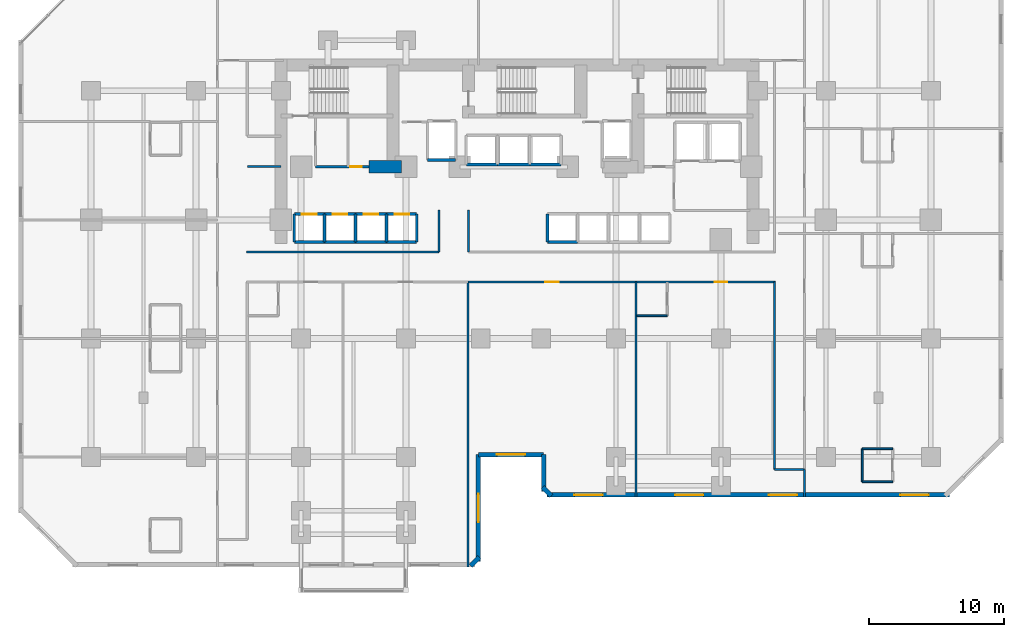
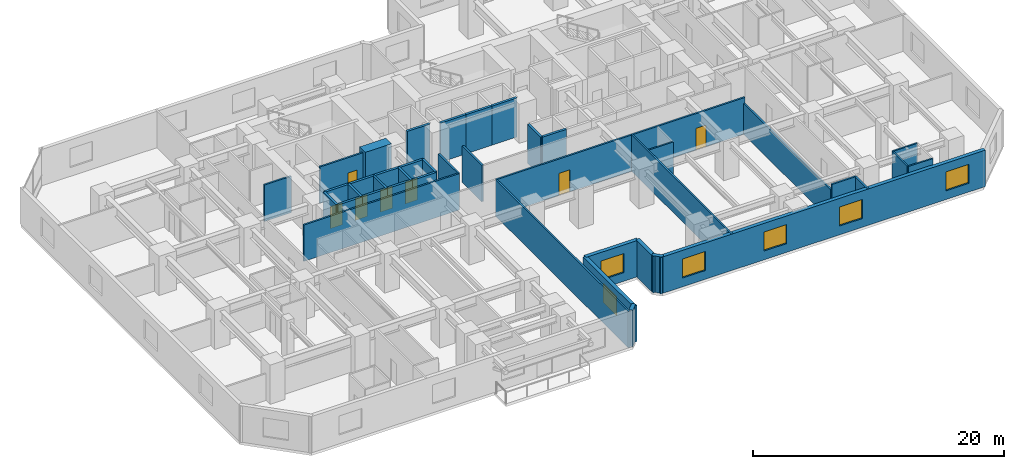
# One storey, part 6 of 11: 41 walls, 7 doors, 6 windows, 13 openings.
"""IFC4 building model written with IfcOpenShell, lengths in metres."""

from ifc_helpers import new_model, si_unit, direction, frame, frame_2d, origin, place, context, subcontext, project, spatial, rectangle, extrude, material, layer, layer_set, type_object, element, fill, save


model = new_model("IFC4")

# Units and contexts
model_context = context("Model", 3, precision=1e-05, world=origin(), true_north=direction((0.0, 1.0)))
body_context = subcontext(model_context, "Body", "Model", "MODEL_VIEW")
ifc_project = project(units=[si_unit("LENGTHUNIT", "METRE"), si_unit("AREAUNIT", "SQUARE_METRE"), si_unit("VOLUMEUNIT", "CUBIC_METRE"), si_unit("PLANEANGLEUNIT", "RADIAN"), si_unit("MASSUNIT", "GRAM", prefix="KILO")], contexts=[model_context])

# Site, building, storey
site_placement = place(None, origin())
site = spatial("IfcSite", under=ifc_project, at=site_placement, CompositionType="ELEMENT")
building_placement = place(site_placement, origin())
building = spatial("IfcBuilding", under=site, at=building_placement, Name="Kestravale Grand Hotel", CompositionType="ELEMENT")
storey_placement = place(building_placement, frame((0.0, 0.0, 37.39990234375)))
storey = spatial("IfcBuildingStorey", under=building, at=storey_placement, Name="L08", CompositionType="ELEMENT", Elevation=37.39990234375)

# Walls
ifc_material_1 = material(Name="Concrete f'c 70 MPa", Category="concrete")
ifc_layer_1 = layer(ifc_material_1, 0.89990234375)
ifc_layer_set_1 = layer_set([ifc_layer_1], Name="EW-CORE-900")
wall_type_1 = type_object("IfcWallType", Name="EW-CORE-900", PredefinedType="SHEAR", material=ifc_layer_set_1)
wall_1_placement = place(storey_placement, frame((28.449951171875, 32.75, 0.0), z_axis=(0.0, 0.0, 1.0), x_axis=(1.0, 0.0, 0.0)))
element("IfcWall", 1, at=wall_1_placement, inside=storey, type_object=wall_type_1, Name="L08 core shear wall S1", PredefinedType="SHEAR", context=body_context, shape_type="SweptSolid", body=[
    extrude(rectangle(XDim=2.400146484375, YDim=0.89990234375, at=frame_2d((1.2001953125, 0.0))), origin(), (0.0, 0.0, 1.0), 3.800048828125),
])
ifc_material_2 = material(Name="Precast concrete f'c 45 MPa", Category="concrete")
ifc_layer_2 = layer(ifc_material_2, 0.340087890625)
ifc_layer_set_2 = layer_set([ifc_layer_2], Name="EW-PREC-340")
wall_type_2 = type_object("IfcWallType", Name="EW-PREC-340", PredefinedType="SOLIDWALL", material=ifc_layer_set_2)
wall_2_placement = place(storey_placement, frame((36.00146484375, 3.091796875, 0.0), z_axis=(0.0, 0.0, 1.0), x_axis=(0.707106781187, 0.707106781187, 0.0)))
element("IfcWall", 2, at=wall_2_placement, inside=storey, type_object=wall_type_2, Name="L08 fluted precast facade wall 2", PredefinedType="SOLIDWALL", context=body_context, shape_type="SweptSolid", body=[
    extrude(rectangle(XDim=0.9287109375, YDim=0.340087890625, at=frame_2d((0.46435546875, 0.0))), origin(), (0.0, 0.0, 1.0), 3.5400390625),
])

# Wall, opening, window
wall_3_placement = place(storey_placement, frame((36.580078125, 3.429931640625, 0.0), z_axis=(0.0, 0.0, 1.0), x_axis=(0.0, 1.0, 0.0)))
wall_3 = element("IfcWall", 3, at=wall_3_placement, inside=storey, type_object=wall_type_2, Name="L08 fluted precast facade wall 3", PredefinedType="SOLIDWALL", context=body_context, shape_type="SweptSolid", body=[
    extrude(rectangle(XDim=7.940185546875, YDim=0.340087890625, at=frame_2d((3.97021484375, 0.0))), origin(), (0.0, 0.0, 1.0), 3.5400390625),
])
opening_1_placement = place(wall_3_placement, frame((2.919921875, 0.0, 0.85009765625)))
opening_1 = element("IfcOpeningElement", 4, at=opening_1_placement, cuts=wall_3, Name="Opening W-GUEST-2100", PredefinedType="OPENING", context=body_context, shape_type="SweptSolid", body=[
    extrude(rectangle(XDim=2.10009765625, YDim=1.85009765625, at=frame_2d((1.050048828125, 0.925048828125))), frame((0.0, 0.179931640625, 0.0), z_axis=(0.0, -1.0, 0.0), x_axis=(1.0, 0.0, 0.0)), (0.0, 0.0, 1.0), 0.360107421875),
])
ifc_material_3 = material(Name="Insulated low-E double glazing in aluminium frame", Category="aluminium")
window_type = type_object("IfcWindowType", Name="W-GUEST-2100", PartitioningType="DOUBLE_PANEL_VERTICAL", PredefinedType="WINDOW", material=ifc_material_3)
window_1_placement = place(opening_1_placement, origin())
window_1 = element("IfcWindow", 5, at=window_1_placement, inside=storey, type_object=window_type, Name="L08 exterior window 3.1", OverallHeight=1.85009765625, OverallWidth=2.10009765625, PartitioningType="SINGLE_PANEL", PredefinedType="WINDOW", context=body_context, shape_type="SweptSolid", body=[
    extrude(rectangle(XDim=2.10009765625, YDim=1.85009765625, at=frame_2d((1.050048828125, 0.925048828125))), frame((0.0, 0.030029296875, 0.0), z_axis=(0.0, -1.0, 0.0), x_axis=(1.0, 0.0, 0.0)), (0.0, 0.0, 1.0), 0.06005859375),
])
fill(opening_1, window_1)

wall_4_placement = place(storey_placement, frame((36.580078125, 11.3701171875, 0.0), z_axis=(0.0, 0.0, 1.0), x_axis=(1.0, 0.0, 0.0)))
wall_4 = element("IfcWall", 6, at=wall_4_placement, inside=storey, type_object=wall_type_2, Name="L08 fluted precast facade wall 4", PredefinedType="SOLIDWALL", context=body_context, shape_type="SweptSolid", body=[
    extrude(rectangle(XDim=4.83984375, YDim=0.340087890625, at=frame_2d((2.419921875, 0.0))), origin(), (0.0, 0.0, 1.0), 3.5400390625),
])
opening_2_placement = place(wall_4_placement, frame((1.3701171875, 0.0, 0.85009765625)))
opening_2 = element("IfcOpeningElement", 7, at=opening_2_placement, cuts=wall_4, Name="Opening W-GUEST-2100", PredefinedType="OPENING", context=body_context, shape_type="SweptSolid", body=[
    extrude(rectangle(XDim=2.10009765625, YDim=1.85009765625, at=frame_2d((1.050048828125, 0.925048828125))), frame((0.0, 0.179931640625, 0.0), z_axis=(0.0, -1.0, 0.0), x_axis=(1.0, 0.0, 0.0)), (0.0, 0.0, 1.0), 0.360107421875),
])
window_2_placement = place(opening_2_placement, origin())
window_2 = element("IfcWindow", 8, at=window_2_placement, inside=storey, type_object=window_type, Name="L08 exterior window 4.1", OverallHeight=1.85009765625, OverallWidth=2.10009765625, PartitioningType="SINGLE_PANEL", PredefinedType="WINDOW", context=body_context, shape_type="SweptSolid", body=[
    extrude(rectangle(XDim=2.10009765625, YDim=1.85009765625, at=frame_2d((1.050048828125, 0.925048828125))), frame((0.0, 0.030029296875, 0.0), z_axis=(0.0, -1.0, 0.0), x_axis=(1.0, 0.0, 0.0)), (0.0, 0.0, 1.0), 0.06005859375),
])
fill(opening_2, window_2)

# Walls
wall_5_placement = place(storey_placement, frame((41.419921875, 11.3701171875, 0.0), z_axis=(0.0, 0.0, 1.0), x_axis=(0.0, -1.0, 0.0)))
element("IfcWall", 9, at=wall_5_placement, inside=storey, type_object=wall_type_2, Name="L08 fluted precast facade wall 5", PredefinedType="SOLIDWALL", context=body_context, shape_type="SweptSolid", body=[
    extrude(rectangle(XDim=2.740234375, YDim=0.340087890625, at=frame_2d((1.3701171875, 0.0))), origin(), (0.0, 0.0, 1.0), 3.5400390625),
])
wall_6_placement = place(storey_placement, frame((41.341796875, 8.948486328125, 0.0), z_axis=(0.0, 0.0, 1.0), x_axis=(0.707238225886, -0.706975312048, 0.0)))
element("IfcWall", 10, at=wall_6_placement, inside=storey, type_object=wall_type_2, Name="L08 fluted precast facade wall 6", PredefinedType="SOLIDWALL", context=body_context, shape_type="SweptSolid", body=[
    extrude(rectangle(XDim=0.9287109375, YDim=0.340087890625, at=frame_2d((0.46435546875, 0.0))), origin(), (0.0, 0.0, 1.0), 3.5400390625),
])

# Wall, openings, windows
wall_7_placement = place(storey_placement, frame((41.679931640625, 8.3701171875, 0.0), z_axis=(0.0, 0.0, 1.0), x_axis=(1.0, 0.0, 0.0)))
wall_7 = element("IfcWall", 11, at=wall_7_placement, inside=storey, type_object=wall_type_2, Name="L08 fluted precast facade wall 7", PredefinedType="SOLIDWALL", context=body_context, shape_type="SweptSolid", body=[
    extrude(rectangle(XDim=29.89013671875, YDim=0.340087890625, at=frame_2d((14.945068359375, 0.0))), origin(), (0.0, 0.0, 1.0), 3.5400390625),
])
opening_3_placement = place(wall_7_placement, frame((2.0361328125, 0.0, 0.85009765625)))
opening_3 = element("IfcOpeningElement", 12, at=opening_3_placement, cuts=wall_7, Name="Opening W-GUEST-2100", PredefinedType="OPENING", context=body_context, shape_type="SweptSolid", body=[
    extrude(rectangle(XDim=2.10009765625, YDim=1.85009765625, at=frame_2d((1.050048828125, 0.925048828125))), frame((0.0, 0.179931640625, 0.0), z_axis=(0.0, -1.0, 0.0), x_axis=(1.0, 0.0, 0.0)), (0.0, 0.0, 1.0), 0.360107421875),
])
opening_4_placement = place(wall_7_placement, frame((9.5087890625, 0.0, 0.85009765625)))
opening_4 = element("IfcOpeningElement", 13, at=opening_4_placement, cuts=wall_7, Name="Opening W-GUEST-2100", PredefinedType="OPENING", context=body_context, shape_type="SweptSolid", body=[
    extrude(rectangle(XDim=2.10009765625, YDim=1.85009765625, at=frame_2d((1.050048828125, 0.925048828125))), frame((0.0, 0.179931640625, 0.0), z_axis=(0.0, -1.0, 0.0), x_axis=(1.0, 0.0, 0.0)), (0.0, 0.0, 1.0), 0.360107421875),
])
opening_5_placement = place(wall_7_placement, frame((16.481201171875, 0.0, 0.85009765625)))
opening_5 = element("IfcOpeningElement", 14, at=opening_5_placement, cuts=wall_7, Name="Opening W-GUEST-2100", PredefinedType="OPENING", context=body_context, shape_type="SweptSolid", body=[
    extrude(rectangle(XDim=2.10009765625, YDim=1.85009765625, at=frame_2d((1.050048828125, 0.925048828125))), frame((0.0, 0.179931640625, 0.0), z_axis=(0.0, -1.0, 0.0), x_axis=(1.0, 0.0, 0.0)), (0.0, 0.0, 1.0), 0.360107421875),
])
opening_6_placement = place(wall_7_placement, frame((26.253662109375, 0.0, 0.85009765625)))
opening_6 = element("IfcOpeningElement", 15, at=opening_6_placement, cuts=wall_7, Name="Opening W-GUEST-2100", PredefinedType="OPENING", context=body_context, shape_type="SweptSolid", body=[
    extrude(rectangle(XDim=2.10009765625, YDim=1.85009765625, at=frame_2d((1.050048828125, 0.925048828125))), frame((0.0, 0.179931640625, 0.0), z_axis=(0.0, -1.0, 0.0), x_axis=(1.0, 0.0, 0.0)), (0.0, 0.0, 1.0), 0.360107421875),
])
window_3_placement = place(opening_3_placement, origin())
window_3 = element("IfcWindow", 16, at=window_3_placement, inside=storey, type_object=window_type, Name="L08 exterior window 7.1", OverallHeight=1.85009765625, OverallWidth=2.10009765625, PartitioningType="SINGLE_PANEL", PredefinedType="WINDOW", context=body_context, shape_type="SweptSolid", body=[
    extrude(rectangle(XDim=2.10009765625, YDim=1.85009765625, at=frame_2d((1.050048828125, 0.925048828125))), frame((0.0, 0.030029296875, 0.0), z_axis=(0.0, -1.0, 0.0), x_axis=(1.0, 0.0, 0.0)), (0.0, 0.0, 1.0), 0.06005859375),
])
fill(opening_3, window_3)
window_4_placement = place(opening_4_placement, origin())
window_4 = element("IfcWindow", 17, at=window_4_placement, inside=storey, type_object=window_type, Name="L08 exterior window 7.2", OverallHeight=1.85009765625, OverallWidth=2.10009765625, PartitioningType="SINGLE_PANEL", PredefinedType="WINDOW", context=body_context, shape_type="SweptSolid", body=[
    extrude(rectangle(XDim=2.10009765625, YDim=1.85009765625, at=frame_2d((1.050048828125, 0.925048828125))), frame((0.0, 0.030029296875, 0.0), z_axis=(0.0, -1.0, 0.0), x_axis=(1.0, 0.0, 0.0)), (0.0, 0.0, 1.0), 0.06005859375),
])
fill(opening_4, window_4)
window_5_placement = place(opening_5_placement, origin())
window_5 = element("IfcWindow", 18, at=window_5_placement, inside=storey, type_object=window_type, Name="L08 exterior window 7.3", OverallHeight=1.85009765625, OverallWidth=2.10009765625, PartitioningType="SINGLE_PANEL", PredefinedType="WINDOW", context=body_context, shape_type="SweptSolid", body=[
    extrude(rectangle(XDim=2.10009765625, YDim=1.85009765625, at=frame_2d((1.050048828125, 0.925048828125))), frame((0.0, 0.030029296875, 0.0), z_axis=(0.0, -1.0, 0.0), x_axis=(1.0, 0.0, 0.0)), (0.0, 0.0, 1.0), 0.06005859375),
])
fill(opening_5, window_5)
window_6_placement = place(opening_6_placement, origin())
window_6 = element("IfcWindow", 19, at=window_6_placement, inside=storey, type_object=window_type, Name="L08 exterior window 7.4", OverallHeight=1.85009765625, OverallWidth=2.10009765625, PartitioningType="SINGLE_PANEL", PredefinedType="WINDOW", context=body_context, shape_type="SweptSolid", body=[
    extrude(rectangle(XDim=2.10009765625, YDim=1.85009765625, at=frame_2d((1.050048828125, 0.925048828125))), frame((0.0, 0.030029296875, 0.0), z_axis=(0.0, -1.0, 0.0), x_axis=(1.0, 0.0, 0.0)), (0.0, 0.0, 1.0), 0.06005859375),
])
fill(opening_6, window_6)

# Wall, opening, door
ifc_material_4 = material(Name="Acoustic fire-rated gypsum board partition", Category="other")
ifc_layer_3 = layer(ifc_material_4, 0.159912109375)
ifc_layer_set_3 = layer_set([ifc_layer_3], Name="IW-CORR-160")
wall_type_3 = type_object("IfcWallType", Name="IW-CORR-160", PredefinedType="PARTITIONING", material=ifc_layer_set_3)
wall_8_placement = place(storey_placement, frame((24.47998046875, 32.75, 0.0), z_axis=(0.0, 0.0, 1.0), x_axis=(1.0, 0.0, 0.0)))
wall_8 = element("IfcWall", 20, at=wall_8_placement, inside=storey, type_object=wall_type_3, Name="W-L08-CWS", PredefinedType="PARTITIONING", context=body_context, shape_type="SweptSolid", body=[
    extrude(rectangle(XDim=3.969970703125, YDim=0.159912109375, at=frame_2d((1.98486328125, 0.0))), origin(), (0.0, 0.0, 1.0), 3.5400390625),
])
opening_7_placement = place(wall_8_placement, frame((2.5849609375, 0.0, 0.0)))
opening_7 = element("IfcOpeningElement", 21, at=opening_7_placement, cuts=wall_8, Name="Opening D-SH-860", PredefinedType="OPENING", context=body_context, shape_type="SweptSolid", body=[
    extrude(rectangle(XDim=0.860107421875, YDim=2.050048828125, at=frame_2d((0.43017578125, 1.02490234375))), frame((0.0, 0.08984375, 0.0), z_axis=(0.0, -1.0, 0.0), x_axis=(1.0, 0.0, 0.0)), (0.0, 0.0, 1.0), 0.179931640625),
])
ifc_material_5 = material(Name="Galvanised 90-minute riser fire door", Category="steel")
door_type_1 = type_object("IfcDoorType", Name="D-SH-860", OperationType="NOTDEFINED", PredefinedType="DOOR", material=ifc_material_5)
door_1_placement = place(opening_7_placement, origin())
door_1 = element("IfcDoor", 22, at=door_1_placement, inside=storey, type_object=door_type_1, Name="D-L08-ELEC", OperationType="SINGLE_SWING_RIGHT", OverallHeight=2.050048828125, OverallWidth=0.860107421875, PredefinedType="DOOR", context=body_context, shape_type="SweptSolid", body=[
    extrude(rectangle(XDim=0.860107421875, YDim=2.050048828125, at=frame_2d((0.43017578125, 1.02490234375))), frame((0.0, 0.02490234375, 0.0), z_axis=(0.0, -1.0, 0.0), x_axis=(1.0, 0.0, 0.0)), (0.0, 0.0, 1.0), 0.050048828125),
])
fill(opening_7, door_1)

# Walls
wall_9_placement = place(storey_placement, frame((19.35009765625, 26.409912109375, 0.0), z_axis=(0.0, 0.0, 1.0), x_axis=(1.0, 0.0, 0.0)))
element("IfcWall", 23, at=wall_9_placement, inside=storey, type_object=wall_type_3, Name="W-L08-CW-N", PredefinedType="PARTITIONING", context=body_context, shape_type="SweptSolid", body=[
    extrude(rectangle(XDim=14.2998046875, YDim=0.159912109375, at=frame_2d((7.14990234375, 0.0))), origin(), (0.0, 0.0, 1.0), 3.5400390625),
])
for number, where, z_axis, x_axis, name in (
    (24, (33.64990234375, 26.409912109375, 0.0), (0.0, 0.0, 1.0), (0.0, 1.0, 0.0), "W-L08-TRUNK-W"),
    (25, (35.85009765625, 26.409912109375, 0.0), (0.0, 0.0, 1.0), (0.0, 1.0, 0.0), "W-L08-TRUNK-E"),
):
    element("IfcWall", number, at=place(storey_placement, frame(where, z_axis=z_axis, x_axis=x_axis)), inside=storey, type_object=wall_type_3, Name=name, PredefinedType="PARTITIONING", context=body_context, shape_type="SweptSolid", body=[
        extrude(rectangle(XDim=3.14013671875, YDim=0.159912109375, at=frame_2d((1.570068359375, 0.0))), origin(), (0.0, 0.0, 1.0), 3.5400390625),
    ])

# Wall, openings, doors
wall_10_placement = place(storey_placement, frame((35.800048828125, 24.18994140625, 0.0), z_axis=(0.0, 0.0, 1.0), x_axis=(1.0, 0.0, 0.0)))
wall_10 = element("IfcWall", 26, at=wall_10_placement, inside=storey, type_object=wall_type_3, Name="W-L08-CE-S", PredefinedType="PARTITIONING", context=body_context, shape_type="SweptSolid", body=[
    extrude(rectangle(XDim=22.849853515625, YDim=0.159912109375, at=frame_2d((11.4248046875, 0.0))), origin(), (0.0, 0.0, 1.0), 3.5400390625),
])
opening_8_placement = place(wall_10_placement, frame((5.74755859375, 0.0, 0.0)))
opening_8 = element("IfcOpeningElement", 27, at=opening_8_placement, cuts=wall_10, Name="Opening D-GUEST-1000", PredefinedType="OPENING", context=body_context, shape_type="SweptSolid", body=[
    extrude(rectangle(XDim=1.0, YDim=2.14990234375, at=frame_2d((0.5, 1.074951171875))), frame((0.0, 0.08984375, 0.0), z_axis=(0.0, -1.0, 0.0), x_axis=(1.0, 0.0, 0.0)), (0.0, 0.0, 1.0), 0.179931640625),
])
opening_9_placement = place(wall_10_placement, frame((18.322509765625, 0.0, 0.0)))
opening_9 = element("IfcOpeningElement", 28, at=opening_9_placement, cuts=wall_10, Name="Opening D-GUEST-950", PredefinedType="OPENING", context=body_context, shape_type="SweptSolid", body=[
    extrude(rectangle(XDim=0.949951171875, YDim=2.10009765625, at=frame_2d((0.47509765625, 1.050048828125))), frame((0.0, 0.08984375, 0.0), z_axis=(0.0, -1.0, 0.0), x_axis=(1.0, 0.0, 0.0)), (0.0, 0.0, 1.0), 0.179931640625),
])
ifc_material_6 = material(Name="Accessible walnut veneer hotel entrance fire door", Category="wood")
door_type_2 = type_object("IfcDoorType", Name="D-GUEST-1000", OperationType="NOTDEFINED", PredefinedType="DOOR", material=ifc_material_6)
door_2_placement = place(opening_8_placement, origin())
door_2 = element("IfcDoor", 29, at=door_2_placement, inside=storey, type_object=door_type_2, Name="D-L08-AME", OperationType="SINGLE_SWING_RIGHT", OverallHeight=2.14990234375, OverallWidth=1.0, PredefinedType="DOOR", context=body_context, shape_type="SweptSolid", body=[
    extrude(rectangle(XDim=1.0, YDim=2.14990234375, at=frame_2d((0.5, 1.074951171875))), frame((0.0, 0.02490234375, 0.0), z_axis=(0.0, -1.0, 0.0), x_axis=(1.0, 0.0, 0.0)), (0.0, 0.0, 1.0), 0.050048828125),
])
fill(opening_8, door_2)
ifc_material_7 = material(Name="Walnut veneer hotel guestroom entrance fire door", Category="wood")
door_type_3 = type_object("IfcDoorType", Name="D-GUEST-950", OperationType="NOTDEFINED", PredefinedType="DOOR", material=ifc_material_7)
door_3_placement = place(opening_9_placement, origin())
door_3 = element("IfcDoor", 30, at=door_3_placement, inside=storey, type_object=door_type_3, Name="D-L08-U02-ENT", OperationType="SINGLE_SWING_RIGHT", OverallHeight=2.10009765625, OverallWidth=0.949951171875, PredefinedType="DOOR", context=body_context, shape_type="SweptSolid", body=[
    extrude(rectangle(XDim=0.949951171875, YDim=2.10009765625, at=frame_2d((0.47509765625, 1.050048828125))), frame((0.0, 0.02490234375, 0.0), z_axis=(0.0, -1.0, 0.0), x_axis=(1.0, 0.0, 0.0)), (0.0, 0.0, 1.0), 0.050048828125),
])
fill(opening_9, door_3)

# Walls
wall_11_placement = place(storey_placement, frame((19.409912109375, 32.780029296875, 0.0), z_axis=(0.0, 0.0, 1.0), x_axis=(1.0, 0.0, 0.0)))
element("IfcWall", 31, at=wall_11_placement, inside=storey, type_object=wall_type_3, Name="W-L08-SW-CS", PredefinedType="PARTITIONING", context=body_context, shape_type="SweptSolid", body=[
    extrude(rectangle(XDim=2.489990234375, YDim=0.159912109375, at=frame_2d((1.2451171875, 0.0))), origin(), (0.0, 0.0, 1.0), 3.5400390625),
])
wall_12_placement = place(storey_placement, frame((58.590087890625, 10.25, 0.0), z_axis=(0.0, 0.0, 1.0), x_axis=(0.0, 1.0, 0.0)))
element("IfcWall", 32, at=wall_12_placement, inside=storey, type_object=wall_type_3, Name="W-L08-SE-W", PredefinedType="PARTITIONING", context=body_context, shape_type="SweptSolid", body=[
    extrude(rectangle(XDim=13.93994140625, YDim=0.159912109375, at=frame_2d((6.969970703125, 0.0))), origin(), (0.0, 0.0, 1.0), 3.004150390625),
])
ifc_material_8 = material(Name="Moisture-resistant tile-backer plumbing chase wall", Category="other")
ifc_layer_4 = layer(ifc_material_8, 0.139892578125)
ifc_layer_set_4 = layer_set([ifc_layer_4], Name="IW-PLB-140")
wall_type_4 = type_object("IfcWallType", Name="IW-PLB-140", PredefinedType="PLUMBINGWALL", material=ifc_layer_set_4)
wall_13_placement = place(storey_placement, frame((48.35498046875, 21.679931640625, 0.0), z_axis=(0.0, 0.0, 1.0), x_axis=(1.0, 0.0, 0.0)))
element("IfcWall", 33, at=wall_13_placement, inside=storey, type_object=wall_type_4, Name="W-L08-U02-BS", PredefinedType="PLUMBINGWALL", context=body_context, shape_type="SweptSolid", body=[
    extrude(rectangle(XDim=2.25, YDim=0.139892578125, at=frame_2d((1.125, 0.0))), origin(), (0.0, 0.0, 1.0), 3.5400390625),
])
wall_14_placement = place(storey_placement, frame((65.10009765625, 9.35009765625, 0.0), z_axis=(0.0, 0.0, 1.0), x_axis=(0.0, 1.0, 0.0)))
element("IfcWall", 34, at=wall_14_placement, inside=storey, type_object=wall_type_4, Name="W-L08-U07-BW", PredefinedType="PLUMBINGWALL", context=body_context, shape_type="SweptSolid", body=[
    extrude(rectangle(XDim=2.449951171875, YDim=0.139892578125, at=frame_2d((1.22509765625, 0.0))), origin(), (0.0, 0.0, 1.0), 3.5400390625),
])
for number, where, z_axis, x_axis, name in (
    (35, (65.10009765625, 9.35009765625, 0.0), (0.0, 0.0, 1.0), (1.0, 0.0, 0.0), "W-L08-U07-BS"),
    (36, (65.10009765625, 11.800048828125, 0.0), (0.0, 0.0, 1.0), (1.0, 0.0, 0.0), "W-L08-U07-BN"),
):
    element("IfcWall", number, at=place(storey_placement, frame(where, z_axis=z_axis, x_axis=x_axis)), inside=storey, type_object=wall_type_4, Name=name, PredefinedType="PLUMBINGWALL", context=body_context, shape_type="SweptSolid", body=[
        extrude(rectangle(XDim=2.25, YDim=0.139892578125, at=frame_2d((1.125, 0.0))), origin(), (0.0, 0.0, 1.0), 3.5400390625),
    ])
ifc_material_9 = material(Name="Concrete f'c 45 MPa", Category="concrete")
ifc_layer_5 = layer(ifc_material_9, 0.199951171875)
ifc_layer_set_5 = layer_set([ifc_layer_5], Name="IW-SHAFT-200")
wall_type_5 = type_object("IfcWallType", Name="IW-SHAFT-200", PredefinedType="SHEAR", material=ifc_layer_set_5)
for number, where, z_axis, x_axis, name in (
    (37, (22.905029296875, 27.169921875, 0.0), (0.0, 0.0, 1.0), (0.0, 1.0, 0.0), "L08 PL-L1 west shaft wall"),
    (38, (25.14990234375, 27.169921875, 0.0), (0.0, 0.0, 1.0), (0.0, 1.0, 0.0), "L08 PL-L2 west shaft wall"),
    (39, (27.449951171875, 27.169921875, 0.0), (0.0, 0.0, 1.0), (0.0, 1.0, 0.0), "L08 PL-L3 west shaft wall"),
    (40, (29.75, 27.169921875, 0.0), (0.0, 0.0, 1.0), (0.0, 1.0, 0.0), "L08 PL-L4 west shaft wall"),
    (41, (31.9951171875, 27.169921875, 0.0), (0.0, 0.0, 1.0), (0.0, 1.0, 0.0), "L08 PL-L4 east shaft wall"),
    (42, (41.705078125, 27.169921875, 0.0), (0.0, 0.0, 1.0), (0.0, 1.0, 0.0), "L08 PL-M1 west shaft wall"),
):
    element("IfcWall", number, at=place(storey_placement, frame(where, z_axis=z_axis, x_axis=x_axis)), inside=storey, type_object=wall_type_5, Name=name, PredefinedType="SHEAR", context=body_context, shape_type="SweptSolid", body=[
        extrude(rectangle(XDim=2.06005859375, YDim=0.199951171875, at=frame_2d((1.030029296875, 0.0))), origin(), (0.0, 0.0, 1.0), 3.800048828125),
    ])

# Wall, opening, door
ifc_material_10 = material(Name="Concrete f'c 45 MPa", Category="concrete")
ifc_layer_6 = layer(ifc_material_10, 0.219970703125)
ifc_layer_set_6 = layer_set([ifc_layer_6], Name="IW-SHAFT-220")
wall_type_6 = type_object("IfcWallType", Name="IW-SHAFT-220", PredefinedType="SHEAR", material=ifc_layer_set_6)
wall_15_placement = place(storey_placement, frame((22.905029296875, 29.22998046875, 0.0), z_axis=(0.0, 0.0, 1.0), x_axis=(1.0, 0.0, 0.0)))
wall_15 = element("IfcWall", 43, at=wall_15_placement, inside=storey, type_object=wall_type_6, Name="L08 PL-L1 north shaft wall", PredefinedType="SHEAR", context=body_context, shape_type="SweptSolid", body=[
    extrude(rectangle(XDim=2.244873046875, YDim=0.219970703125, at=frame_2d((1.12255859375, 0.0))), origin(), (0.0, 0.0, 1.0), 3.800048828125),
])
opening_10_placement = place(wall_15_placement, frame((0.544921875, 0.0, 0.0)))
opening_10 = element("IfcOpeningElement", 44, at=opening_10_placement, cuts=wall_15, Name="Opening LD-PAX-1100", PredefinedType="OPENING", context=body_context, shape_type="SweptSolid", body=[
    extrude(rectangle(XDim=1.10009765625, YDim=2.14990234375, at=frame_2d((0.550048828125, 1.074951171875))), frame((0.0, 0.119873046875, 0.0), z_axis=(0.0, -1.0, 0.0), x_axis=(1.0, 0.0, 0.0)), (0.0, 0.0, 1.0), 0.239990234375),
])
ifc_material_11 = material(Name="Champagne-bronze center-opening sliding elevator landing door", Category="steel")
door_type_4 = type_object("IfcDoorType", Name="LD-PAX-1100", OperationType="NOTDEFINED", PredefinedType="DOOR", material=ifc_material_11)
door_4_placement = place(opening_10_placement, origin())
door_4 = element("IfcDoor", 45, at=door_4_placement, inside=storey, type_object=door_type_4, Name="L08 PL-L1 elevator landing sliding door", OperationType="DOUBLE_DOOR_SLIDING", OverallHeight=2.14990234375, OverallWidth=1.10009765625, PredefinedType="DOOR", context=body_context, shape_type="SweptSolid", body=[
    extrude(rectangle(XDim=1.10009765625, YDim=2.14990234375, at=frame_2d((0.550048828125, 1.074951171875))), frame((0.0, 0.02490234375, 0.0), z_axis=(0.0, -1.0, 0.0), x_axis=(1.0, 0.0, 0.0)), (0.0, 0.0, 1.0), 0.050048828125),
])
fill(opening_10, door_4)

# Wall
wall_16_placement = place(storey_placement, frame((22.905029296875, 27.169921875, 0.0), z_axis=(0.0, 0.0, 1.0), x_axis=(1.0, 0.0, 0.0)))
element("IfcWall", 46, at=wall_16_placement, inside=storey, type_object=wall_type_6, Name="L08 PL-L1 south shaft wall", PredefinedType="SHEAR", context=body_context, shape_type="SweptSolid", body=[
    extrude(rectangle(XDim=2.244873046875, YDim=0.219970703125, at=frame_2d((1.12255859375, 0.0))), origin(), (0.0, 0.0, 1.0), 3.800048828125),
])

# Wall, opening, door
wall_17_placement = place(storey_placement, frame((25.14990234375, 29.22998046875, 0.0), z_axis=(0.0, 0.0, 1.0), x_axis=(1.0, 0.0, 0.0)))
wall_17 = element("IfcWall", 47, at=wall_17_placement, inside=storey, type_object=wall_type_6, Name="L08 PL-L2 north shaft wall", PredefinedType="SHEAR", context=body_context, shape_type="SweptSolid", body=[
    extrude(rectangle(XDim=2.300048828125, YDim=0.219970703125, at=frame_2d((1.14990234375, 0.0))), origin(), (0.0, 0.0, 1.0), 3.800048828125),
])
opening_11_placement = place(wall_17_placement, frame((0.60009765625, 0.0, 0.0)))
opening_11 = element("IfcOpeningElement", 48, at=opening_11_placement, cuts=wall_17, Name="Opening LD-PAX-1100", PredefinedType="OPENING", context=body_context, shape_type="SweptSolid", body=[
    extrude(rectangle(XDim=1.10009765625, YDim=2.14990234375, at=frame_2d((0.550048828125, 1.074951171875))), frame((0.0, 0.119873046875, 0.0), z_axis=(0.0, -1.0, 0.0), x_axis=(1.0, 0.0, 0.0)), (0.0, 0.0, 1.0), 0.239990234375),
])
door_5_placement = place(opening_11_placement, origin())
door_5 = element("IfcDoor", 49, at=door_5_placement, inside=storey, type_object=door_type_4, Name="L08 PL-L2 elevator landing sliding door", OperationType="DOUBLE_DOOR_SLIDING", OverallHeight=2.14990234375, OverallWidth=1.10009765625, PredefinedType="DOOR", context=body_context, shape_type="SweptSolid", body=[
    extrude(rectangle(XDim=1.10009765625, YDim=2.14990234375, at=frame_2d((0.550048828125, 1.074951171875))), frame((0.0, 0.02490234375, 0.0), z_axis=(0.0, -1.0, 0.0), x_axis=(1.0, 0.0, 0.0)), (0.0, 0.0, 1.0), 0.050048828125),
])
fill(opening_11, door_5)

# Wall
wall_18_placement = place(storey_placement, frame((25.14990234375, 27.169921875, 0.0), z_axis=(0.0, 0.0, 1.0), x_axis=(1.0, 0.0, 0.0)))
element("IfcWall", 50, at=wall_18_placement, inside=storey, type_object=wall_type_6, Name="L08 PL-L2 south shaft wall", PredefinedType="SHEAR", context=body_context, shape_type="SweptSolid", body=[
    extrude(rectangle(XDim=2.300048828125, YDim=0.219970703125, at=frame_2d((1.14990234375, 0.0))), origin(), (0.0, 0.0, 1.0), 3.800048828125),
])

# Wall, opening, door
wall_19_placement = place(storey_placement, frame((27.449951171875, 29.22998046875, 0.0), z_axis=(0.0, 0.0, 1.0), x_axis=(1.0, 0.0, 0.0)))
wall_19 = element("IfcWall", 51, at=wall_19_placement, inside=storey, type_object=wall_type_6, Name="L08 PL-L3 north shaft wall", PredefinedType="SHEAR", context=body_context, shape_type="SweptSolid", body=[
    extrude(rectangle(XDim=2.300048828125, YDim=0.219970703125, at=frame_2d((1.14990234375, 0.0))), origin(), (0.0, 0.0, 1.0), 3.800048828125),
])
opening_12_placement = place(wall_19_placement, frame((0.60009765625, 0.0, 0.0)))
opening_12 = element("IfcOpeningElement", 52, at=opening_12_placement, cuts=wall_19, Name="Opening LD-PAX-1100", PredefinedType="OPENING", context=body_context, shape_type="SweptSolid", body=[
    extrude(rectangle(XDim=1.10009765625, YDim=2.14990234375, at=frame_2d((0.550048828125, 1.074951171875))), frame((0.0, 0.119873046875, 0.0), z_axis=(0.0, -1.0, 0.0), x_axis=(1.0, 0.0, 0.0)), (0.0, 0.0, 1.0), 0.239990234375),
])
door_6_placement = place(opening_12_placement, origin())
door_6 = element("IfcDoor", 53, at=door_6_placement, inside=storey, type_object=door_type_4, Name="L08 PL-L3 elevator landing sliding door", OperationType="DOUBLE_DOOR_SLIDING", OverallHeight=2.14990234375, OverallWidth=1.10009765625, PredefinedType="DOOR", context=body_context, shape_type="SweptSolid", body=[
    extrude(rectangle(XDim=1.10009765625, YDim=2.14990234375, at=frame_2d((0.550048828125, 1.074951171875))), frame((0.0, 0.02490234375, 0.0), z_axis=(0.0, -1.0, 0.0), x_axis=(1.0, 0.0, 0.0)), (0.0, 0.0, 1.0), 0.050048828125),
])
fill(opening_12, door_6)

# Wall
wall_20_placement = place(storey_placement, frame((27.449951171875, 27.169921875, 0.0), z_axis=(0.0, 0.0, 1.0), x_axis=(1.0, 0.0, 0.0)))
element("IfcWall", 54, at=wall_20_placement, inside=storey, type_object=wall_type_6, Name="L08 PL-L3 south shaft wall", PredefinedType="SHEAR", context=body_context, shape_type="SweptSolid", body=[
    extrude(rectangle(XDim=2.300048828125, YDim=0.219970703125, at=frame_2d((1.14990234375, 0.0))), origin(), (0.0, 0.0, 1.0), 3.800048828125),
])

# Wall, opening, door
wall_21_placement = place(storey_placement, frame((29.75, 29.22998046875, 0.0), z_axis=(0.0, 0.0, 1.0), x_axis=(1.0, 0.0, 0.0)))
wall_21 = element("IfcWall", 55, at=wall_21_placement, inside=storey, type_object=wall_type_6, Name="L08 PL-L4 north shaft wall", PredefinedType="SHEAR", context=body_context, shape_type="SweptSolid", body=[
    extrude(rectangle(XDim=2.2451171875, YDim=0.219970703125, at=frame_2d((1.12255859375, 0.0))), origin(), (0.0, 0.0, 1.0), 3.800048828125),
])
opening_13_placement = place(wall_21_placement, frame((0.60009765625, 0.0, 0.0)))
opening_13 = element("IfcOpeningElement", 56, at=opening_13_placement, cuts=wall_21, Name="Opening LD-PAX-1100", PredefinedType="OPENING", context=body_context, shape_type="SweptSolid", body=[
    extrude(rectangle(XDim=1.10009765625, YDim=2.14990234375, at=frame_2d((0.550048828125, 1.074951171875))), frame((0.0, 0.119873046875, 0.0), z_axis=(0.0, -1.0, 0.0), x_axis=(1.0, 0.0, 0.0)), (0.0, 0.0, 1.0), 0.239990234375),
])
door_7_placement = place(opening_13_placement, origin())
door_7 = element("IfcDoor", 57, at=door_7_placement, inside=storey, type_object=door_type_4, Name="L08 PL-L4 elevator landing sliding door", OperationType="DOUBLE_DOOR_SLIDING", OverallHeight=2.14990234375, OverallWidth=1.10009765625, PredefinedType="DOOR", context=body_context, shape_type="SweptSolid", body=[
    extrude(rectangle(XDim=1.10009765625, YDim=2.14990234375, at=frame_2d((0.550048828125, 1.074951171875))), frame((0.0, 0.02490234375, 0.0), z_axis=(0.0, -1.0, 0.0), x_axis=(1.0, 0.0, 0.0)), (0.0, 0.0, 1.0), 0.050048828125),
])
fill(opening_13, door_7)

# Walls
wall_22_placement = place(storey_placement, frame((29.75, 27.169921875, 0.0), z_axis=(0.0, 0.0, 1.0), x_axis=(1.0, 0.0, 0.0)))
element("IfcWall", 58, at=wall_22_placement, inside=storey, type_object=wall_type_6, Name="L08 PL-L4 south shaft wall", PredefinedType="SHEAR", context=body_context, shape_type="SweptSolid", body=[
    extrude(rectangle(XDim=2.2451171875, YDim=0.219970703125, at=frame_2d((1.12255859375, 0.0))), origin(), (0.0, 0.0, 1.0), 3.800048828125),
])
wall_23_placement = place(storey_placement, frame((41.705078125, 27.169921875, 0.0), z_axis=(0.0, 0.0, 1.0), x_axis=(1.0, 0.0, 0.0)))
element("IfcWall", 59, at=wall_23_placement, inside=storey, type_object=wall_type_6, Name="L08 PL-M1 south shaft wall", PredefinedType="SHEAR", context=body_context, shape_type="SweptSolid", body=[
    extrude(rectangle(XDim=2.244873046875, YDim=0.219970703125, at=frame_2d((1.12255859375, 0.0))), origin(), (0.0, 0.0, 1.0), 3.800048828125),
])
wall_24_placement = place(storey_placement, frame((35.679931640625, 32.919921875, 0.0), z_axis=(0.0, 0.0, 1.0), x_axis=(1.0, 0.0, 0.0)))
element("IfcWall", 60, at=wall_24_placement, inside=storey, type_object=wall_type_6, Name="L08 PL-X1 south shaft wall", PredefinedType="SHEAR", context=body_context, shape_type="SweptSolid", body=[
    extrude(rectangle(XDim=2.320068359375, YDim=0.219970703125, at=frame_2d((1.16015625, 0.0))), origin(), (0.0, 0.0, 1.0), 3.800048828125),
])
wall_25_placement = place(storey_placement, frame((38.0, 32.919921875, 0.0), z_axis=(0.0, 0.0, 1.0), x_axis=(1.0, 0.0, 0.0)))
element("IfcWall", 61, at=wall_25_placement, inside=storey, type_object=wall_type_6, Name="L08 PL-X2 south shaft wall", PredefinedType="SHEAR", context=body_context, shape_type="SweptSolid", body=[
    extrude(rectangle(XDim=2.39990234375, YDim=0.219970703125, at=frame_2d((1.199951171875, 0.0))), origin(), (0.0, 0.0, 1.0), 3.800048828125),
])
wall_26_placement = place(storey_placement, frame((40.39990234375, 32.919921875, 0.0), z_axis=(0.0, 0.0, 1.0), x_axis=(1.0, 0.0, 0.0)))
element("IfcWall", 62, at=wall_26_placement, inside=storey, type_object=wall_type_6, Name="L08 PL-X3 south shaft wall", PredefinedType="SHEAR", context=body_context, shape_type="SweptSolid", body=[
    extrude(rectangle(XDim=2.320068359375, YDim=0.219970703125, at=frame_2d((1.16015625, 0.0))), origin(), (0.0, 0.0, 1.0), 3.800048828125),
])
wall_27_placement = place(storey_placement, frame((32.804931640625, 33.2451171875, 0.0), z_axis=(0.0, 0.0, 1.0), x_axis=(1.0, 0.0, 0.0)))
element("IfcWall", 63, at=wall_27_placement, inside=storey, type_object=wall_type_6, Name="L08 FL-1 south shaft wall", PredefinedType="SHEAR", context=body_context, shape_type="SweptSolid", body=[
    extrude(rectangle(XDim=2.090087890625, YDim=0.219970703125, at=frame_2d((1.044921875, 0.0))), origin(), (0.0, 0.0, 1.0), 3.800048828125),
])
ifc_material_12 = material(Name="Double-stud STC 52 acoustic demising partition", Category="other")
ifc_layer_7 = layer(ifc_material_12, 0.14990234375)
ifc_layer_set_7 = layer_set([ifc_layer_7], Name="IW-UNIT-150")
wall_type_7 = type_object("IfcWallType", Name="IW-UNIT-150", PredefinedType="PARTITIONING", material=ifc_layer_set_7)
wall_28_placement = place(storey_placement, frame((58.590087890625, 10.25, 0.0), z_axis=(0.0, 0.0, 1.0), x_axis=(1.0, 0.0, 0.0)))
element("IfcWall", 64, at=wall_28_placement, inside=storey, type_object=wall_type_7, Name="W-L08-SE-S", PredefinedType="PARTITIONING", context=body_context, shape_type="SweptSolid", body=[
    extrude(rectangle(XDim=2.219970703125, YDim=0.14990234375, at=frame_2d((1.10986328125, 0.0))), origin(), (0.0, 0.0, 1.0), 3.5400390625),
])
wall_29_placement = place(storey_placement, frame((35.800048828125, 3.02001953125, 0.0), z_axis=(0.0, 0.0, 1.0), x_axis=(0.0, 1.0, 0.0)))
element("IfcWall", 65, at=wall_29_placement, inside=storey, type_object=wall_type_7, Name="W-L08-MID-S", PredefinedType="PARTITIONING", context=body_context, shape_type="SweptSolid", body=[
    extrude(rectangle(XDim=21.14990234375, YDim=0.14990234375, at=frame_2d((10.574951171875, 0.0))), origin(), (0.0, 0.0, 1.0), 3.5400390625),
])
wall_30_placement = place(storey_placement, frame((48.294921875, 8.219970703125, 0.0), z_axis=(0.0, 0.0, 1.0), x_axis=(0.0, 1.0, 0.0)))
element("IfcWall", 66, at=wall_30_placement, inside=storey, type_object=wall_type_7, Name="W-L08-ES-1", PredefinedType="PARTITIONING", context=body_context, shape_type="SweptSolid", body=[
    extrude(rectangle(XDim=15.969970703125, YDim=0.14990234375, at=frame_2d((7.98486328125, 0.0))), origin(), (0.0, 0.0, 1.0), 3.5400390625),
])
wall_31_placement = place(storey_placement, frame((60.81005859375, 8.219970703125, 0.0), z_axis=(0.0, 0.0, 1.0), x_axis=(0.0, 1.0, 0.0)))
element("IfcWall", 67, at=wall_31_placement, inside=storey, type_object=wall_type_7, Name="W-L08-SE-EXT", PredefinedType="PARTITIONING", context=body_context, shape_type="SweptSolid", body=[
    extrude(rectangle(XDim=2.030029296875, YDim=0.14990234375, at=frame_2d((1.01513671875, 0.0))), origin(), (0.0, 0.0, 1.0), 3.5400390625),
])

save(model, "model.ifc")
